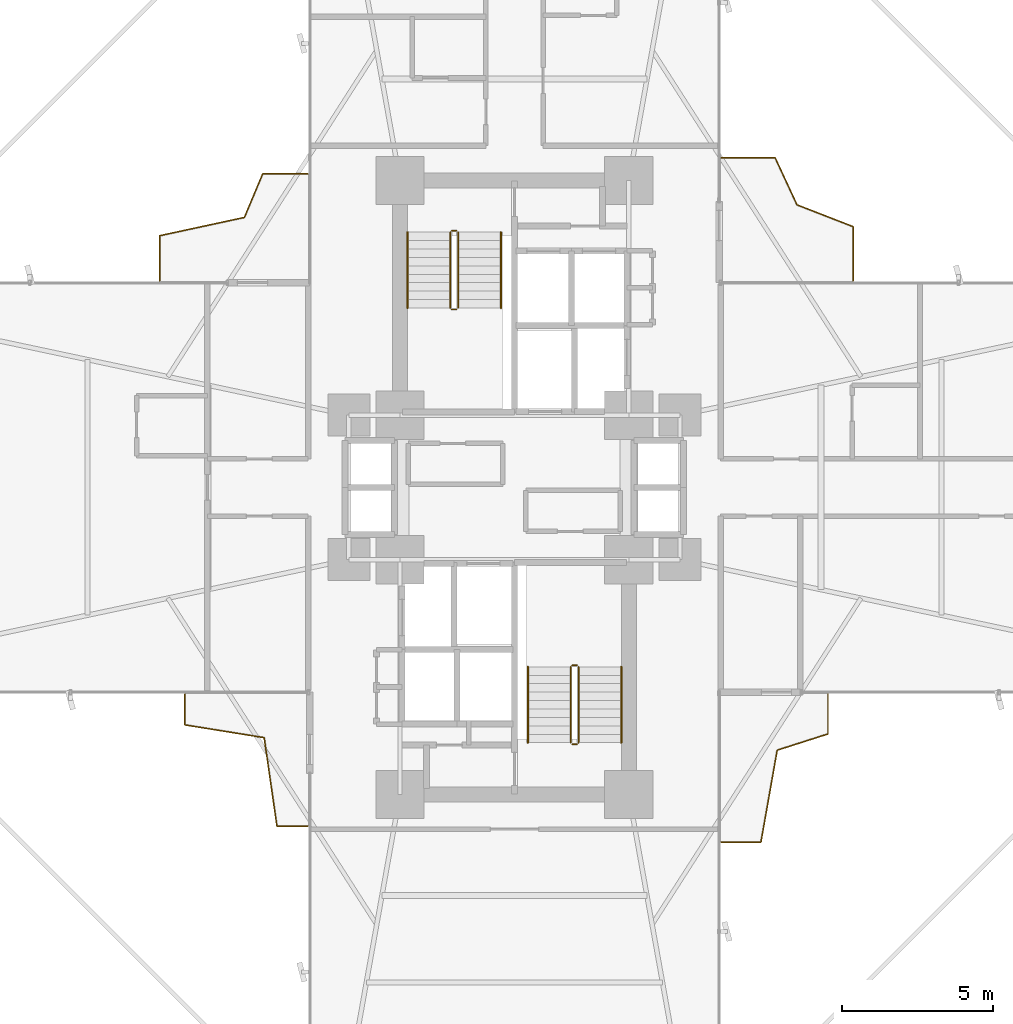
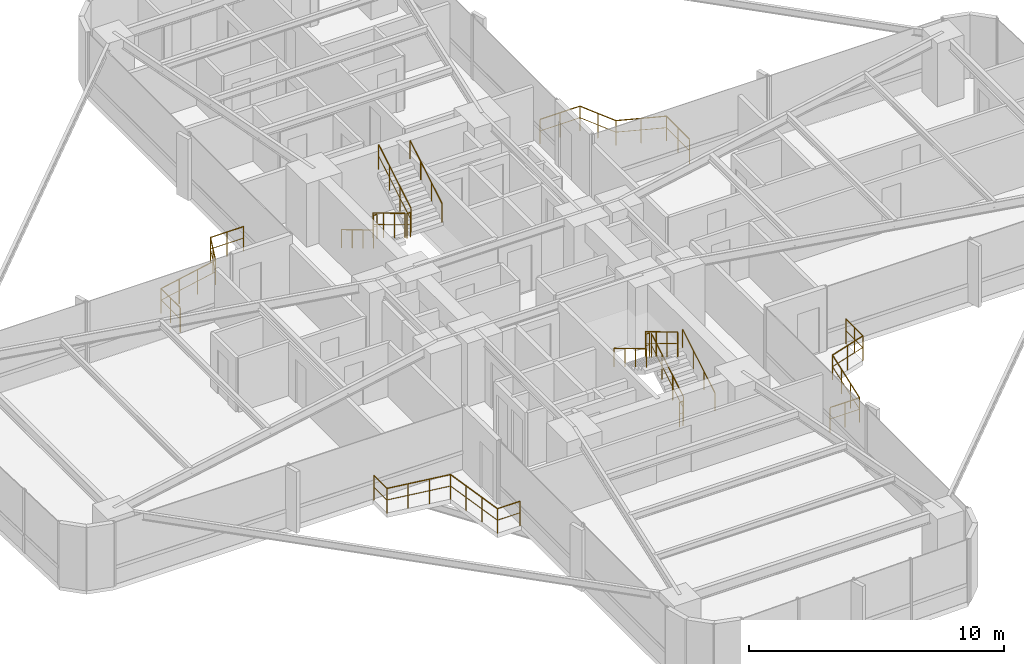
# One storey, part 25 of 25: 16 railings.
"""IFC4 building model written with IfcOpenShell, lengths in metres."""

from ifc_helpers import new_model, si_unit, direction, frame, origin, origin_2d, place, context, subcontext, project, spatial, circle, extrude, material, type_object, element, save


model = new_model("IFC4")

# Units and contexts
model_context = context("Model", 3, precision=1e-05, world=origin(), true_north=direction((0.0, 1.0)))
body_context = subcontext(model_context, "Body", "Model", "MODEL_VIEW")
ifc_project = project(units=[si_unit("LENGTHUNIT", "METRE"), si_unit("AREAUNIT", "SQUARE_METRE"), si_unit("VOLUMEUNIT", "CUBIC_METRE"), si_unit("PLANEANGLEUNIT", "RADIAN"), si_unit("MASSUNIT", "GRAM", prefix="KILO")], contexts=[model_context])

# Site, building, storey
site_placement = place(None, origin())
site = spatial("IfcSite", under=ifc_project, at=site_placement, CompositionType="ELEMENT")
building_placement = place(site_placement, origin())
building = spatial("IfcBuilding", under=site, at=building_placement, Name="Sahyath Konkavel Grand Hotel", CompositionType="ELEMENT")
storey_placement = place(building_placement, frame((0.0, 0.0, 71.14990234375)))
storey = spatial("IfcBuildingStorey", under=building, at=storey_placement, Name="L19", CompositionType="ELEMENT", Elevation=71.14990234375)

# Railings
ifc_material_1 = material(Name="Anodised Bronze Aluminium", Category="aluminium")
railing_type_1 = type_object("IfcRailingType", Name="RLG-BALC-1200", PredefinedType="GUARDRAIL", material=ifc_material_1)
railing_1_placement = place(storey_placement, frame((11.2529296875, 6.860107421875, 0.0)))
element("IfcRailing", 1, at=railing_1_placement, inside=storey, type_object=railing_type_1, Name="L19 Winter-Garden Guard NE", PredefinedType="GUARDRAIL", context=body_context, shape_type="SweptSolid", body=[
    extrude(circle(Radius=0.02392578125, at=origin_2d()), frame((0.0, 0.001953125, 1.17578125), z_axis=(0.0, 1.0, 0.0), x_axis=(-1.0, 0.0, 0.0)), (0.0, 0.0, 1.0), 1.798583984375),
    extrude(circle(Radius=0.01416015625, at=origin_2d()), frame((0.0, 0.001953125, 0.6240234375), z_axis=(0.0, 1.0, 0.0), x_axis=(-1.0, 0.0, 0.0)), (0.0, 0.0, 1.0), 1.798583984375),
    extrude(circle(Radius=0.02392578125, at=origin_2d()), frame((-0.001953125, 1.80322265625, 1.17578125), z_axis=(-0.932221958242, 0.361887027359, 0.0), x_axis=(-0.361887027359, -0.932221958242, 0.0)), (0.0, 0.0, 1.0), 1.99755859375),
    extrude(circle(Radius=0.01416015625, at=origin_2d()), frame((-0.001953125, 1.80322265625, 0.6240234375), z_axis=(-0.932221958242, 0.361887027359, 0.0), x_axis=(-0.361887027359, -0.932221958242, 0.0)), (0.0, 0.0, 1.0), 1.99755859375),
    extrude(circle(Radius=0.02392578125, at=origin_2d()), frame((-1.86669921875, 2.528564453125, 1.17578125), z_axis=(-0.421136328267, 0.906997350059, 0.0), x_axis=(-0.906997350059, -0.421136328267, 0.0)), (0.0, 0.0, 1.0), 1.716064453125),
    extrude(circle(Radius=0.01416015625, at=origin_2d()), frame((-1.86669921875, 2.528564453125, 0.6240234375), z_axis=(-0.421136328267, 0.906997350059, 0.0), x_axis=(-0.906997350059, -0.421136328267, 0.0)), (0.0, 0.0, 1.0), 1.716064453125),
    extrude(circle(Radius=0.02392578125, at=origin_2d()), frame((-2.59228515625, 4.0869140625, 1.17578125), z_axis=(-1.0, 0.0, 0.0), x_axis=(0.0, -1.0, 0.0)), (0.0, 0.0, 1.0), 1.798583984375),
    extrude(circle(Radius=0.01416015625, at=origin_2d()), frame((-2.59228515625, 4.0869140625, 0.6240234375), z_axis=(-1.0, 0.0, 0.0), x_axis=(0.0, -1.0, 0.0)), (0.0, 0.0, 1.0), 1.798583984375),
    extrude(circle(Radius=0.02099609375, at=origin_2d()), origin(), (0.0, 0.0, 1.0), 1.15185546875),
    extrude(circle(Radius=0.02099609375, at=origin_2d()), frame((0.0, 0.9013671875, 0.0)), (0.0, 0.0, 1.0), 1.15185546875),
    extrude(circle(Radius=0.02099609375, at=origin_2d()), frame((0.0, 1.802490234375, 0.0)), (0.0, 0.0, 1.0), 1.15185546875),
    extrude(circle(Radius=0.02099609375, at=origin_2d()), frame((-0.93310546875, 2.16455078125, 0.0)), (0.0, 0.0, 1.0), 1.15185546875),
    extrude(circle(Radius=0.02099609375, at=origin_2d()), frame((-1.865966796875, 2.52685546875, 0.0)), (0.0, 0.0, 1.0), 1.15185546875),
    extrude(circle(Radius=0.02099609375, at=origin_2d()), frame((-2.22802734375, 3.306884765625, 0.0)), (0.0, 0.0, 1.0), 1.15185546875),
    extrude(circle(Radius=0.02099609375, at=origin_2d()), frame((-2.59033203125, 4.0869140625, 0.0)), (0.0, 0.0, 1.0), 1.15185546875),
    extrude(circle(Radius=0.02099609375, at=origin_2d()), frame((-3.49169921875, 4.0869140625, 0.0)), (0.0, 0.0, 1.0), 1.15185546875),
    extrude(circle(Radius=0.02099609375, at=origin_2d()), frame((-4.392822265625, 4.0869140625, 0.0)), (0.0, 0.0, 1.0), 1.15185546875),
])
railing_2_placement = place(storey_placement, frame((-6.860107421875, 10.4169921875, 0.0)))
element("IfcRailing", 2, at=railing_2_placement, inside=storey, type_object=railing_type_1, Name="L19 Winter-Garden Guard NW", PredefinedType="GUARDRAIL", context=body_context, shape_type="SweptSolid", body=[
    extrude(circle(Radius=0.02392578125, at=origin_2d()), frame((-0.001953125, 0.0, 1.17578125), z_axis=(-1.0, 0.0, 0.0), x_axis=(0.0, -1.0, 0.0)), (0.0, 0.0, 1.0), 1.498291015625),
    extrude(circle(Radius=0.01416015625, at=origin_2d()), frame((-0.001953125, 0.0, 0.6240234375), z_axis=(-1.0, 0.0, 0.0), x_axis=(0.0, -1.0, 0.0)), (0.0, 0.0, 1.0), 1.498291015625),
    extrude(circle(Radius=0.02392578125, at=origin_2d()), frame((-1.5029296875, -0.001953125, 1.17578125), z_axis=(-0.38718752451, -0.922000987453, 0.0), x_axis=(0.922000987453, -0.38718752451, 0.0)), (0.0, 0.0, 1.0), 1.5654296875),
    extrude(circle(Radius=0.01416015625, at=origin_2d()), frame((-1.5029296875, -0.001953125, 0.6240234375), z_axis=(-0.38718752451, -0.922000987453, 0.0), x_axis=(0.922000987453, -0.38718752451, 0.0)), (0.0, 0.0, 1.0), 1.5654296875),
    extrude(circle(Radius=0.02392578125, at=origin_2d()), frame((-2.11181640625, -1.447509765625, 1.17578125), z_axis=(-0.977453457361, -0.211150985538, 0.0), x_axis=(0.211150985538, -0.977453457361, 0.0)), (0.0, 0.0, 1.0), 2.873779296875),
    extrude(circle(Radius=0.01416015625, at=origin_2d()), frame((-2.11181640625, -1.447509765625, 0.6240234375), z_axis=(-0.977453457361, -0.211150985538, 0.0), x_axis=(0.211150985538, -0.977453457361, 0.0)), (0.0, 0.0, 1.0), 2.873779296875),
    extrude(circle(Radius=0.02392578125, at=origin_2d()), frame((-4.9228515625, -2.056640625, 1.17578125), z_axis=(0.0, -1.0, 0.0), x_axis=(1.0, 0.0, 0.0)), (0.0, 0.0, 1.0), 1.498291015625),
    extrude(circle(Radius=0.01416015625, at=origin_2d()), frame((-4.9228515625, -2.056640625, 0.6240234375), z_axis=(0.0, -1.0, 0.0), x_axis=(1.0, 0.0, 0.0)), (0.0, 0.0, 1.0), 1.498291015625),
    extrude(circle(Radius=0.02099609375, at=origin_2d()), origin(), (0.0, 0.0, 1.0), 1.15185546875),
    extrude(circle(Radius=0.02099609375, at=origin_2d()), frame((-0.7509765625, 0.0, 0.0)), (0.0, 0.0, 1.0), 1.15185546875),
    extrude(circle(Radius=0.02099609375, at=origin_2d()), frame((-1.502197265625, 0.0, 0.0)), (0.0, 0.0, 1.0), 1.15185546875),
    extrude(circle(Radius=0.02099609375, at=origin_2d()), frame((-1.80615234375, -0.7236328125, 0.0)), (0.0, 0.0, 1.0), 1.15185546875),
    extrude(circle(Radius=0.02099609375, at=origin_2d()), frame((-2.10986328125, -1.447021484375, 0.0)), (0.0, 0.0, 1.0), 1.15185546875),
    extrude(circle(Radius=0.02099609375, at=origin_2d()), frame((-3.047607421875, -1.649658203125, 0.0)), (0.0, 0.0, 1.0), 1.15185546875),
    extrude(circle(Radius=0.02099609375, at=origin_2d()), frame((-3.985107421875, -1.85205078125, 0.0)), (0.0, 0.0, 1.0), 1.15185546875),
    extrude(circle(Radius=0.02099609375, at=origin_2d()), frame((-4.9228515625, -2.0546875, 0.0)), (0.0, 0.0, 1.0), 1.15185546875),
    extrude(circle(Radius=0.02099609375, at=origin_2d()), frame((-4.9228515625, -2.8056640625, 0.0)), (0.0, 0.0, 1.0), 1.15185546875),
    extrude(circle(Radius=0.02099609375, at=origin_2d()), frame((-4.9228515625, -3.556884765625, 0.0)), (0.0, 0.0, 1.0), 1.15185546875),
])
railing_3_placement = place(storey_placement, frame((-10.947021484375, -6.860107421875, 0.0)))
element("IfcRailing", 3, at=railing_3_placement, inside=storey, type_object=railing_type_1, Name="L19 Winter-Garden Guard SW", PredefinedType="GUARDRAIL", context=body_context, shape_type="SweptSolid", body=[
    extrude(circle(Radius=0.02392578125, at=origin_2d()), frame((0.0, -0.001953125, 1.17578125), z_axis=(0.0, -1.0, 0.0), x_axis=(1.0, 0.0, 0.0)), (0.0, 0.0, 1.0), 1.025390625),
    extrude(circle(Radius=0.01416015625, at=origin_2d()), frame((0.0, -0.001953125, 0.6240234375), z_axis=(0.0, -1.0, 0.0), x_axis=(1.0, 0.0, 0.0)), (0.0, 0.0, 1.0), 1.025390625),
    extrude(circle(Radius=0.02392578125, at=origin_2d()), frame((0.001953125, -1.029541015625, 1.17578125), z_axis=(0.987315261894, -0.158772080766, 0.0), x_axis=(0.158772080766, 0.987315261894, 0.0)), (0.0, 0.0, 1.0), 2.663818359375),
    extrude(circle(Radius=0.01416015625, at=origin_2d()), frame((0.001953125, -1.029541015625, 0.6240234375), z_axis=(0.987315261894, -0.158772080766, 0.0), x_axis=(0.158772080766, 0.987315261894, 0.0)), (0.0, 0.0, 1.0), 2.663818359375),
    extrude(circle(Radius=0.02392578125, at=origin_2d()), frame((2.63427734375, -1.454833984375, 1.17578125), z_axis=(0.142606491538, -0.989779464614, 0.0), x_axis=(0.989779464614, 0.142606491538, 0.0)), (0.0, 0.0, 1.0), 2.96630859375),
    extrude(circle(Radius=0.01416015625, at=origin_2d()), frame((2.63427734375, -1.454833984375, 0.6240234375), z_axis=(0.142606491538, -0.989779464614, 0.0), x_axis=(0.989779464614, 0.142606491538, 0.0)), (0.0, 0.0, 1.0), 2.96630859375),
    extrude(circle(Radius=0.02392578125, at=origin_2d()), frame((3.0595703125, -4.392822265625, 1.17578125), z_axis=(1.0, 0.0, 0.0), x_axis=(0.0, 1.0, 0.0)), (0.0, 0.0, 1.0), 1.025390625),
    extrude(circle(Radius=0.01416015625, at=origin_2d()), frame((3.0595703125, -4.392822265625, 0.6240234375), z_axis=(1.0, 0.0, 0.0), x_axis=(0.0, 1.0, 0.0)), (0.0, 0.0, 1.0), 1.025390625),
    extrude(circle(Radius=0.02099609375, at=origin_2d()), origin(), (0.0, 0.0, 1.0), 1.15185546875),
    extrude(circle(Radius=0.02099609375, at=origin_2d()), frame((0.0, -1.029296875, 0.0)), (0.0, 0.0, 1.0), 1.15185546875),
    extrude(circle(Radius=0.02099609375, at=origin_2d()), frame((0.8779296875, -1.17041015625, 0.0)), (0.0, 0.0, 1.0), 1.15185546875),
    extrude(circle(Radius=0.02099609375, at=origin_2d()), frame((1.756103515625, -1.311767578125, 0.0)), (0.0, 0.0, 1.0), 1.15185546875),
    extrude(circle(Radius=0.02099609375, at=origin_2d()), frame((2.634033203125, -1.452880859375, 0.0)), (0.0, 0.0, 1.0), 1.15185546875),
    extrude(circle(Radius=0.02099609375, at=origin_2d()), frame((2.775146484375, -2.432861328125, 0.0)), (0.0, 0.0, 1.0), 1.15185546875),
    extrude(circle(Radius=0.02099609375, at=origin_2d()), frame((2.91650390625, -3.412841796875, 0.0)), (0.0, 0.0, 1.0), 1.15185546875),
    extrude(circle(Radius=0.02099609375, at=origin_2d()), frame((3.0576171875, -4.392822265625, 0.0)), (0.0, 0.0, 1.0), 1.15185546875),
    extrude(circle(Radius=0.02099609375, at=origin_2d()), frame((4.0869140625, -4.392822265625, 0.0)), (0.0, 0.0, 1.0), 1.15185546875),
])
railing_4_placement = place(storey_placement, frame((6.860107421875, -11.782958984375, 0.0)))
element("IfcRailing", 4, at=railing_4_placement, inside=storey, type_object=railing_type_1, Name="L19 Winter-Garden Guard SE", PredefinedType="GUARDRAIL", context=body_context, shape_type="SweptSolid", body=[
    extrude(circle(Radius=0.02392578125, at=origin_2d()), frame((0.001953125, 0.0, 1.17578125), z_axis=(1.0, 0.0, 0.0), x_axis=(0.0, 1.0, 0.0)), (0.0, 0.0, 1.0), 1.32568359375),
    extrude(circle(Radius=0.01416015625, at=origin_2d()), frame((0.001953125, 0.0, 0.6240234375), z_axis=(1.0, 0.0, 0.0), x_axis=(0.0, 1.0, 0.0)), (0.0, 0.0, 1.0), 1.32568359375),
    extrude(circle(Radius=0.02392578125, at=origin_2d()), frame((1.329833984375, 0.001953125, 1.17578125), z_axis=(0.17426147973, 0.984699414381, 0.0), x_axis=(-0.984699414381, 0.17426147973, 0.0)), (0.0, 0.0, 1.0), 3.096435546875),
    extrude(circle(Radius=0.01416015625, at=origin_2d()), frame((1.329833984375, 0.001953125, 0.6240234375), z_axis=(0.17426147973, 0.984699414381, 0.0), x_axis=(-0.984699414381, 0.17426147973, 0.0)), (0.0, 0.0, 1.0), 3.096435546875),
    extrude(circle(Radius=0.02392578125, at=origin_2d()), frame((1.871826171875, 3.053466796875, 1.17578125), z_axis=(0.952352108961, 0.305000755012, 0.0), x_axis=(-0.305000755012, 0.952352108961, 0.0)), (0.0, 0.0, 1.0), 1.767333984375),
    extrude(circle(Radius=0.01416015625, at=origin_2d()), frame((1.871826171875, 3.053466796875, 0.6240234375), z_axis=(0.952352108961, 0.305000755012, 0.0), x_axis=(-0.305000755012, 0.952352108961, 0.0)), (0.0, 0.0, 1.0), 1.767333984375),
    extrude(circle(Radius=0.02392578125, at=origin_2d()), frame((3.556884765625, 3.59521484375, 1.17578125), z_axis=(0.0, 1.0, 0.0), x_axis=(-1.0, 0.0, 0.0)), (0.0, 0.0, 1.0), 1.32568359375),
    extrude(circle(Radius=0.01416015625, at=origin_2d()), frame((3.556884765625, 3.59521484375, 0.6240234375), z_axis=(0.0, 1.0, 0.0), x_axis=(-1.0, 0.0, 0.0)), (0.0, 0.0, 1.0), 1.32568359375),
    extrude(circle(Radius=0.02099609375, at=origin_2d()), origin(), (0.0, 0.0, 1.0), 1.15185546875),
    extrude(circle(Radius=0.02099609375, at=origin_2d()), frame((0.664794921875, 0.0, 0.0)), (0.0, 0.0, 1.0), 1.15185546875),
    extrude(circle(Radius=0.02099609375, at=origin_2d()), frame((1.32958984375, 0.0, 0.0)), (0.0, 0.0, 1.0), 1.15185546875),
    extrude(circle(Radius=0.02099609375, at=origin_2d()), frame((1.509765625, 1.017578125, 0.0)), (0.0, 0.0, 1.0), 1.15185546875),
    extrude(circle(Radius=0.02099609375, at=origin_2d()), frame((1.689697265625, 2.035400390625, 0.0)), (0.0, 0.0, 1.0), 1.15185546875),
    extrude(circle(Radius=0.02099609375, at=origin_2d()), frame((1.869873046875, 3.052978515625, 0.0)), (0.0, 0.0, 1.0), 1.15185546875),
    extrude(circle(Radius=0.02099609375, at=origin_2d()), frame((2.71337890625, 3.3232421875, 0.0)), (0.0, 0.0, 1.0), 1.15185546875),
    extrude(circle(Radius=0.02099609375, at=origin_2d()), frame((3.556884765625, 3.59326171875, 0.0)), (0.0, 0.0, 1.0), 1.15185546875),
    extrude(circle(Radius=0.02099609375, at=origin_2d()), frame((3.556884765625, 4.258056640625, 0.0)), (0.0, 0.0, 1.0), 1.15185546875),
    extrude(circle(Radius=0.02099609375, at=origin_2d()), frame((3.556884765625, 4.9228515625, 0.0)), (0.0, 0.0, 1.0), 1.15185546875),
])
ifc_material_2 = material(Name="Steel E350", Category="steel")
railing_type_2 = type_object("IfcRailingType", Name="RLG-STAIR-GRD", PredefinedType="GUARDRAIL", material=ifc_material_2)
railing_5_placement = place(storey_placement, frame((-2.1298828125, 8.47998046875, 0.16748046875)))
element("IfcRailing", 5, at=railing_5_placement, inside=storey, type_object=railing_type_2, Name="L19 ST-1 stair guard 1", PredefinedType="GUARDRAIL", context=body_context, shape_type="SweptSolid", body=[
    extrude(circle(Radius=0.02392578125, at=origin_2d()), frame((0.0, -0.001708984375, 1.177001953125), z_axis=(0.0, -0.858159760407, 0.513382728203), x_axis=(1.0, 0.0, 0.0)), (0.0, 0.0, 1.0), 2.9326171875),
    extrude(circle(Radius=0.01416015625, at=origin_2d()), frame((0.0, -0.001708984375, 0.625), z_axis=(0.0, -0.858159760407, 0.513382728203), x_axis=(1.0, 0.0, 0.0)), (0.0, 0.0, 1.0), 2.9326171875),
    extrude(circle(Radius=0.02099609375, at=origin_2d()), origin(), (0.0, 0.0, 1.0), 1.15185546875),
    extrude(circle(Radius=0.02099609375, at=origin_2d()), frame((0.0, -0.840087890625, 0.50244140625)), (0.0, 0.0, 1.0), 1.15185546875),
    extrude(circle(Radius=0.02099609375, at=origin_2d()), frame((0.0, -1.679931640625, 1.005126953125)), (0.0, 0.0, 1.0), 1.15185546875),
    extrude(circle(Radius=0.02099609375, at=origin_2d()), frame((0.0, -2.52001953125, 1.507568359375)), (0.0, 0.0, 1.0), 1.15185546875),
])
railing_6_placement = place(storey_placement, frame((-2.080078125, 5.909912109375, 1.675048828125)))
element("IfcRailing", 6, at=railing_6_placement, inside=storey, type_object=railing_type_2, Name="L19 ST-1 stair guard 2", PredefinedType="GUARDRAIL", context=body_context, shape_type="SweptSolid", body=[
    extrude(circle(Radius=0.02392578125, at=origin_2d()), frame((0.001953125, 0.0, 1.17578125), z_axis=(1.0, 0.0, 0.0), x_axis=(0.0, 1.0, 0.0)), (0.0, 0.0, 1.0), 0.15625),
    extrude(circle(Radius=0.01416015625, at=origin_2d()), frame((0.001953125, 0.0, 0.6240234375), z_axis=(1.0, 0.0, 0.0), x_axis=(0.0, 1.0, 0.0)), (0.0, 0.0, 1.0), 0.15625),
    extrude(circle(Radius=0.02099609375, at=origin_2d()), origin(), (0.0, 0.0, 1.0), 1.15185546875),
    extrude(circle(Radius=0.02099609375, at=origin_2d()), frame((0.16015625, 0.0, 0.0)), (0.0, 0.0, 1.0), 1.15185546875),
])
railing_7_placement = place(storey_placement, frame((-1.8701171875, 5.9599609375, 1.842529296875)))
element("IfcRailing", 7, at=railing_7_placement, inside=storey, type_object=railing_type_2, Name="L19 ST-1 stair guard 3", PredefinedType="GUARDRAIL", context=body_context, shape_type="SweptSolid", body=[
    extrude(circle(Radius=0.02392578125, at=origin_2d()), frame((0.0, 0.001708984375, 1.177001953125), z_axis=(0.0, 0.858159760407, 0.513382728203), x_axis=(-1.0, 0.0, 0.0)), (0.0, 0.0, 1.0), 2.9326171875),
    extrude(circle(Radius=0.01416015625, at=origin_2d()), frame((0.0, 0.001708984375, 0.625), z_axis=(0.0, 0.858159760407, 0.513382728203), x_axis=(-1.0, 0.0, 0.0)), (0.0, 0.0, 1.0), 2.9326171875),
    extrude(circle(Radius=0.02099609375, at=origin_2d()), origin(), (0.0, 0.0, 1.0), 1.15185546875),
    extrude(circle(Radius=0.02099609375, at=origin_2d()), frame((0.0, 0.840087890625, 0.50244140625)), (0.0, 0.0, 1.0), 1.15185546875),
    extrude(circle(Radius=0.02099609375, at=origin_2d()), frame((0.0, 1.679931640625, 1.005126953125)), (0.0, 0.0, 1.0), 1.15185546875),
    extrude(circle(Radius=0.02099609375, at=origin_2d()), frame((0.0, 2.52001953125, 1.507568359375)), (0.0, 0.0, 1.0), 1.15185546875),
])
railing_8_placement = place(storey_placement, frame((-2.080078125, 8.530029296875, 0.0)))
element("IfcRailing", 8, at=railing_8_placement, inside=storey, type_object=railing_type_2, Name="L19 ST-1 stair guard 4", PredefinedType="GUARDRAIL", context=body_context, shape_type="SweptSolid", body=[
    extrude(circle(Radius=0.02392578125, at=origin_2d()), frame((0.001953125, 0.0, 1.17578125), z_axis=(1.0, 0.0, 0.0), x_axis=(0.0, 1.0, 0.0)), (0.0, 0.0, 1.0), 0.15625),
    extrude(circle(Radius=0.01416015625, at=origin_2d()), frame((0.001953125, 0.0, 0.6240234375), z_axis=(1.0, 0.0, 0.0), x_axis=(0.0, 1.0, 0.0)), (0.0, 0.0, 1.0), 0.15625),
    extrude(circle(Radius=0.02099609375, at=origin_2d()), origin(), (0.0, 0.0, 1.0), 1.15185546875),
    extrude(circle(Radius=0.02099609375, at=origin_2d()), frame((0.16015625, 0.0, 0.0)), (0.0, 0.0, 1.0), 1.15185546875),
])
railing_9_placement = place(storey_placement, frame((2.1298828125, -8.47998046875, 0.16748046875)))
element("IfcRailing", 9, at=railing_9_placement, inside=storey, type_object=railing_type_2, Name="L19 ST-2 stair guard 1", PredefinedType="GUARDRAIL", context=body_context, shape_type="SweptSolid", body=[
    extrude(circle(Radius=0.02392578125, at=origin_2d()), frame((0.0, 0.001708984375, 1.177001953125), z_axis=(0.0, 0.858159760407, 0.513382728203), x_axis=(-1.0, 0.0, 0.0)), (0.0, 0.0, 1.0), 2.9326171875),
    extrude(circle(Radius=0.01416015625, at=origin_2d()), frame((0.0, 0.001708984375, 0.625), z_axis=(0.0, 0.858159760407, 0.513382728203), x_axis=(-1.0, 0.0, 0.0)), (0.0, 0.0, 1.0), 2.9326171875),
    extrude(circle(Radius=0.02099609375, at=origin_2d()), origin(), (0.0, 0.0, 1.0), 1.15185546875),
    extrude(circle(Radius=0.02099609375, at=origin_2d()), frame((0.0, 0.840087890625, 0.50244140625)), (0.0, 0.0, 1.0), 1.15185546875),
    extrude(circle(Radius=0.02099609375, at=origin_2d()), frame((0.0, 1.679931640625, 1.005126953125)), (0.0, 0.0, 1.0), 1.15185546875),
    extrude(circle(Radius=0.02099609375, at=origin_2d()), frame((0.0, 2.52001953125, 1.507568359375)), (0.0, 0.0, 1.0), 1.15185546875),
])
railing_10_placement = place(storey_placement, frame((2.080078125, -5.909912109375, 1.675048828125)))
element("IfcRailing", 10, at=railing_10_placement, inside=storey, type_object=railing_type_2, Name="L19 ST-2 stair guard 2", PredefinedType="GUARDRAIL", context=body_context, shape_type="SweptSolid", body=[
    extrude(circle(Radius=0.02392578125, at=origin_2d()), frame((-0.001953125, 0.0, 1.17578125), z_axis=(-1.0, 0.0, 0.0), x_axis=(0.0, -1.0, 0.0)), (0.0, 0.0, 1.0), 0.15625),
    extrude(circle(Radius=0.01416015625, at=origin_2d()), frame((-0.001953125, 0.0, 0.6240234375), z_axis=(-1.0, 0.0, 0.0), x_axis=(0.0, -1.0, 0.0)), (0.0, 0.0, 1.0), 0.15625),
    extrude(circle(Radius=0.02099609375, at=origin_2d()), origin(), (0.0, 0.0, 1.0), 1.15185546875),
    extrude(circle(Radius=0.02099609375, at=origin_2d()), frame((-0.16015625, 0.0, 0.0)), (0.0, 0.0, 1.0), 1.15185546875),
])
railing_11_placement = place(storey_placement, frame((1.8701171875, -5.9599609375, 1.842529296875)))
element("IfcRailing", 11, at=railing_11_placement, inside=storey, type_object=railing_type_2, Name="L19 ST-2 stair guard 3", PredefinedType="GUARDRAIL", context=body_context, shape_type="SweptSolid", body=[
    extrude(circle(Radius=0.02392578125, at=origin_2d()), frame((0.0, -0.001708984375, 1.177001953125), z_axis=(0.0, -0.858159760407, 0.513382728203), x_axis=(1.0, 0.0, 0.0)), (0.0, 0.0, 1.0), 2.9326171875),
    extrude(circle(Radius=0.01416015625, at=origin_2d()), frame((0.0, -0.001708984375, 0.625), z_axis=(0.0, -0.858159760407, 0.513382728203), x_axis=(1.0, 0.0, 0.0)), (0.0, 0.0, 1.0), 2.9326171875),
    extrude(circle(Radius=0.02099609375, at=origin_2d()), origin(), (0.0, 0.0, 1.0), 1.15185546875),
    extrude(circle(Radius=0.02099609375, at=origin_2d()), frame((0.0, -0.840087890625, 0.50244140625)), (0.0, 0.0, 1.0), 1.15185546875),
    extrude(circle(Radius=0.02099609375, at=origin_2d()), frame((0.0, -1.679931640625, 1.005126953125)), (0.0, 0.0, 1.0), 1.15185546875),
    extrude(circle(Radius=0.02099609375, at=origin_2d()), frame((0.0, -2.52001953125, 1.507568359375)), (0.0, 0.0, 1.0), 1.15185546875),
])
railing_12_placement = place(storey_placement, frame((2.080078125, -8.530029296875, 0.0)))
element("IfcRailing", 12, at=railing_12_placement, inside=storey, type_object=railing_type_2, Name="L19 ST-2 stair guard 4", PredefinedType="GUARDRAIL", context=body_context, shape_type="SweptSolid", body=[
    extrude(circle(Radius=0.02392578125, at=origin_2d()), frame((-0.001953125, 0.0, 1.17578125), z_axis=(-1.0, 0.0, 0.0), x_axis=(0.0, -1.0, 0.0)), (0.0, 0.0, 1.0), 0.15625),
    extrude(circle(Radius=0.01416015625, at=origin_2d()), frame((-0.001953125, 0.0, 0.6240234375), z_axis=(-1.0, 0.0, 0.0), x_axis=(0.0, -1.0, 0.0)), (0.0, 0.0, 1.0), 0.15625),
    extrude(circle(Radius=0.02099609375, at=origin_2d()), origin(), (0.0, 0.0, 1.0), 1.15185546875),
    extrude(circle(Radius=0.02099609375, at=origin_2d()), frame((-0.16015625, 0.0, 0.0)), (0.0, 0.0, 1.0), 1.15185546875),
])
railing_type_3 = type_object("IfcRailingType", Name="RLG-STAIR-HND", PredefinedType="HANDRAIL", material=ifc_material_1)
railing_13_placement = place(storey_placement, frame((-3.550048828125, 8.47998046875, 0.16748046875)))
element("IfcRailing", 13, at=railing_13_placement, inside=storey, type_object=railing_type_3, Name="L19 ST-1 stair handrail 1", PredefinedType="HANDRAIL", context=body_context, shape_type="SweptSolid", body=[
    extrude(circle(Radius=0.02392578125, at=origin_2d()), frame((0.0, -0.001708984375, 0.876953125), z_axis=(0.0, -0.858159760407, 0.513382728203), x_axis=(1.0, 0.0, 0.0)), (0.0, 0.0, 1.0), 2.9326171875),
    extrude(circle(Radius=0.02099609375, at=origin_2d()), origin(), (0.0, 0.0, 1.0), 0.851806640625),
    extrude(circle(Radius=0.02099609375, at=origin_2d()), frame((0.0, -0.840087890625, 0.50244140625)), (0.0, 0.0, 1.0), 0.851806640625),
    extrude(circle(Radius=0.02099609375, at=origin_2d()), frame((0.0, -1.679931640625, 1.005126953125)), (0.0, 0.0, 1.0), 0.851806640625),
    extrude(circle(Radius=0.02099609375, at=origin_2d()), frame((0.0, -2.52001953125, 1.507568359375)), (0.0, 0.0, 1.0), 0.851806640625),
])
for number, where, name in (
    (14, (-0.449951171875, 5.9599609375, 1.842529296875), "L19 ST-1 stair handrail 2"),
    (15, (3.550048828125, -8.47998046875, 0.16748046875), "L19 ST-2 stair handrail 1"),
):
    element("IfcRailing", number, at=place(storey_placement, frame(where)), inside=storey, type_object=railing_type_3, Name=name, PredefinedType="HANDRAIL", context=body_context, shape_type="SweptSolid", body=[
        extrude(circle(Radius=0.02392578125, at=origin_2d()), frame((0.0, 0.001708984375, 0.876953125), z_axis=(0.0, 0.858159760407, 0.513382728203), x_axis=(-1.0, 0.0, 0.0)), (0.0, 0.0, 1.0), 2.9326171875),
        extrude(circle(Radius=0.02099609375, at=origin_2d()), origin(), (0.0, 0.0, 1.0), 0.851806640625),
        extrude(circle(Radius=0.02099609375, at=origin_2d()), frame((0.0, 0.840087890625, 0.50244140625)), (0.0, 0.0, 1.0), 0.851806640625),
        extrude(circle(Radius=0.02099609375, at=origin_2d()), frame((0.0, 1.679931640625, 1.005126953125)), (0.0, 0.0, 1.0), 0.851806640625),
        extrude(circle(Radius=0.02099609375, at=origin_2d()), frame((0.0, 2.52001953125, 1.507568359375)), (0.0, 0.0, 1.0), 0.851806640625),
    ])
railing_14_placement = place(storey_placement, frame((0.449951171875, -5.9599609375, 1.842529296875)))
element("IfcRailing", 16, at=railing_14_placement, inside=storey, type_object=railing_type_3, Name="L19 ST-2 stair handrail 2", PredefinedType="HANDRAIL", context=body_context, shape_type="SweptSolid", body=[
    extrude(circle(Radius=0.02392578125, at=origin_2d()), frame((0.0, -0.001708984375, 0.876953125), z_axis=(0.0, -0.858159760407, 0.513382728203), x_axis=(1.0, 0.0, 0.0)), (0.0, 0.0, 1.0), 2.9326171875),
    extrude(circle(Radius=0.02099609375, at=origin_2d()), origin(), (0.0, 0.0, 1.0), 0.851806640625),
    extrude(circle(Radius=0.02099609375, at=origin_2d()), frame((0.0, -0.840087890625, 0.50244140625)), (0.0, 0.0, 1.0), 0.851806640625),
    extrude(circle(Radius=0.02099609375, at=origin_2d()), frame((0.0, -1.679931640625, 1.005126953125)), (0.0, 0.0, 1.0), 0.851806640625),
    extrude(circle(Radius=0.02099609375, at=origin_2d()), frame((0.0, -2.52001953125, 1.507568359375)), (0.0, 0.0, 1.0), 0.851806640625),
])

save(model, "model.ifc")
